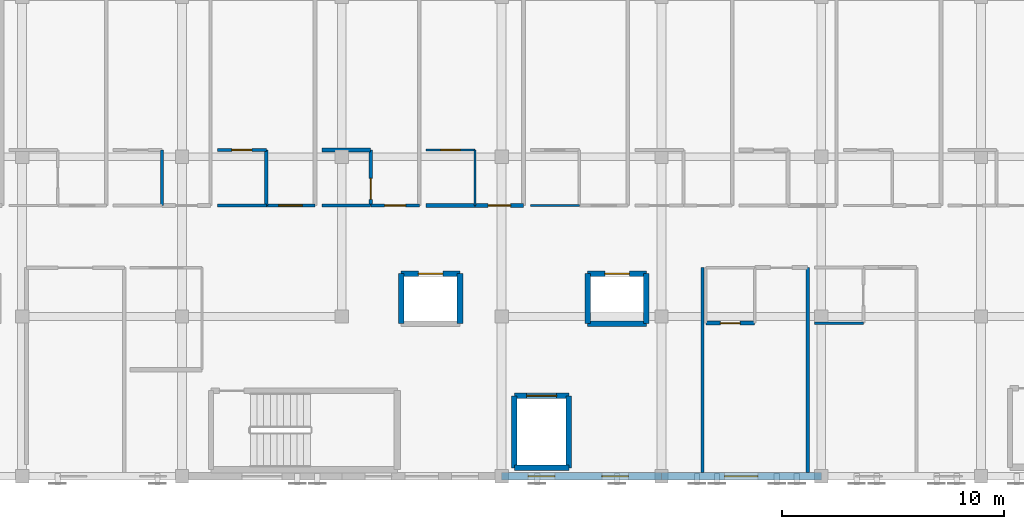
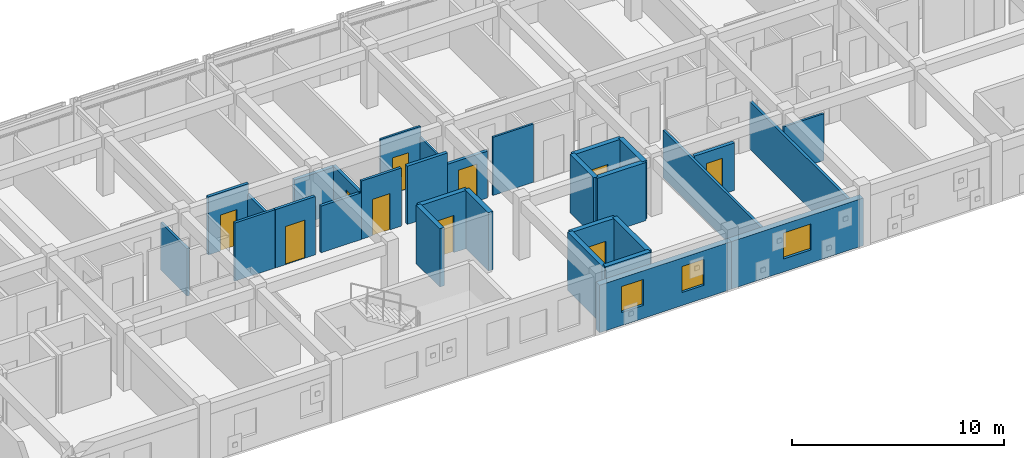
# One storey, part 38 of 45: 31 walls, 10 doors, 3 windows, 13 openings.
"""IFC4 building model written with IfcOpenShell, lengths in metres."""

from ifc_helpers import new_model, si_unit, direction, frame, frame_2d, origin, place, context, subcontext, project, spatial, rectangle, extrude, material, layer, layer_set, type_object, element, fill, save


model = new_model("IFC4")

# Units and contexts
model_context = context("Model", 3, precision=1e-05, world=origin(), true_north=direction((0.0, 1.0)))
body_context = subcontext(model_context, "Body", "Model", "MODEL_VIEW")
ifc_project = project(units=[si_unit("LENGTHUNIT", "METRE"), si_unit("AREAUNIT", "SQUARE_METRE"), si_unit("VOLUMEUNIT", "CUBIC_METRE"), si_unit("PLANEANGLEUNIT", "RADIAN"), si_unit("MASSUNIT", "GRAM", prefix="KILO")], contexts=[model_context])

# Site, building, storey
site_placement = place(None, origin())
site = spatial("IfcSite", under=ifc_project, at=site_placement, CompositionType="ELEMENT")
building_placement = place(site_placement, origin())
building = spatial("IfcBuilding", under=site, at=building_placement, Name="Carrowvane Square Congress Hotel", CompositionType="ELEMENT")
storey_placement = place(building_placement, frame((0.0, 0.0, 33.60009765625)))
storey = spatial("IfcBuildingStorey", under=building, at=storey_placement, Name="L08", CompositionType="ELEMENT", Elevation=33.60009765625)

# Wall, opening, window
ifc_material_1 = material(Name="Glazed terracotta rainscreen", Category="masonry")
ifc_layer_1 = layer(ifc_material_1, 0.330078125)
ifc_layer_set_1 = layer_set([ifc_layer_1], Name="Glazed terracotta rainscreen")
wall_type_1 = type_object("IfcWallType", Name="WL-EXT-TC330", PredefinedType="STANDARD", material=ifc_layer_set_1)
wall_1_placement = place(storey_placement, frame((126.800048828125, 91.800048828125, 0.0), z_axis=(0.0, 0.0, 1.0), x_axis=(-1.0, 0.0, 0.0)))
wall_1 = element("IfcWall", 1, at=wall_1_placement, inside=storey, type_object=wall_type_1, Name="L08 exterior facade wall 544", PredefinedType="STANDARD", context=body_context, shape_type="SweptSolid", body=[
    extrude(rectangle(XDim=7.199951171875, YDim=0.330078125, at=frame_2d((3.60009765625, 0.0))), origin(), (0.0, 0.0, 1.0), 2.744873046875),
])
opening_1_placement = place(wall_1_placement, frame((2.85009765625, 0.0, 0.75)))
opening_1 = element("IfcOpeningElement", 2, at=opening_1_placement, cuts=wall_1, Name="Opening W-15", PredefinedType="OPENING", context=body_context, shape_type="SweptSolid", body=[
    extrude(rectangle(XDim=1.5, YDim=1.5, at=frame_2d((0.75, 0.75))), frame((0.0, 0.175048828125, 0.0), z_axis=(0.0, -1.0, 0.0), x_axis=(1.0, 0.0, 0.0)), (0.0, 0.0, 1.0), 0.35009765625),
])
ifc_material_2 = material(Name="Double-glazed low-E glass", Category="glass")
window_type_1 = type_object("IfcWindowType", Name="WIN-15", PartitioningType="SINGLE_PANEL", PredefinedType="WINDOW", material=ifc_material_2)
window_1_placement = place(opening_1_placement, origin())
window_1 = element("IfcWindow", 3, at=window_1_placement, inside=storey, type_object=window_type_1, Name="L08 facade window 385", OverallHeight=1.5, OverallWidth=1.5, PartitioningType="SINGLE_PANEL", PredefinedType="WINDOW", context=body_context, shape_type="SweptSolid", body=[
    extrude(rectangle(XDim=1.5, YDim=1.5, at=frame_2d((0.75, 0.75))), frame((0.0, 0.030029296875, 0.0), z_axis=(0.0, -1.0, 0.0), x_axis=(1.0, 0.0, 0.0)), (0.0, 0.0, 1.0), 0.06005859375),
])
fill(opening_1, window_1)

# Wall, openings, windows
wall_2_placement = place(storey_placement, frame((119.60009765625, 91.800048828125, 0.0), z_axis=(0.0, 0.0, 1.0), x_axis=(-1.0, 0.0, 0.0)))
wall_2 = element("IfcWall", 4, at=wall_2_placement, inside=storey, type_object=wall_type_1, Name="L08 exterior facade wall 545", PredefinedType="STANDARD", context=body_context, shape_type="SweptSolid", body=[
    extrude(rectangle(XDim=7.2001953125, YDim=0.330078125, at=frame_2d((3.60009765625, 0.0))), origin(), (0.0, 0.0, 1.0), 2.744873046875),
])
opening_2_placement = place(wall_2_placement, frame((1.487548828125, 0.0, 0.75)))
opening_2 = element("IfcOpeningElement", 5, at=opening_2_placement, cuts=wall_2, Name="Opening W-01", PredefinedType="OPENING", context=body_context, shape_type="SweptSolid", body=[
    extrude(rectangle(XDim=1.199951171875, YDim=1.5, at=frame_2d((0.60009765625, 0.75))), frame((0.0, 0.175048828125, 0.0), z_axis=(0.0, -1.0, 0.0), x_axis=(1.0, 0.0, 0.0)), (0.0, 0.0, 1.0), 0.35009765625),
])
opening_3_placement = place(wall_2_placement, frame((4.800048828125, 0.0, 0.75)))
opening_3 = element("IfcOpeningElement", 6, at=opening_3_placement, cuts=wall_2, Name="Opening W-01", PredefinedType="OPENING", context=body_context, shape_type="SweptSolid", body=[
    extrude(rectangle(XDim=1.199951171875, YDim=1.5, at=frame_2d((0.60009765625, 0.75))), frame((0.0, 0.175048828125, 0.0), z_axis=(0.0, -1.0, 0.0), x_axis=(1.0, 0.0, 0.0)), (0.0, 0.0, 1.0), 0.35009765625),
])
ifc_material_3 = material(Name="Double-glazed low-E glass", Category="glass")
window_type_2 = type_object("IfcWindowType", Name="WIN-01", PartitioningType="SINGLE_PANEL", PredefinedType="WINDOW", material=ifc_material_3)
window_2_placement = place(opening_2_placement, origin())
window_2 = element("IfcWindow", 7, at=window_2_placement, inside=storey, type_object=window_type_2, Name="L08 facade window 386", OverallHeight=1.5, OverallWidth=1.199951171875, PartitioningType="SINGLE_PANEL", PredefinedType="WINDOW", context=body_context, shape_type="SweptSolid", body=[
    extrude(rectangle(XDim=1.199951171875, YDim=1.5, at=frame_2d((0.60009765625, 0.75))), frame((0.0, 0.030029296875, 0.0), z_axis=(0.0, -1.0, 0.0), x_axis=(1.0, 0.0, 0.0)), (0.0, 0.0, 1.0), 0.06005859375),
])
fill(opening_2, window_2)
window_3_placement = place(opening_3_placement, origin())
window_3 = element("IfcWindow", 8, at=window_3_placement, inside=storey, type_object=window_type_2, Name="L08 split-bay facade window WIN-L08-0386-1", OverallHeight=1.5, OverallWidth=1.199951171875, PartitioningType="SINGLE_PANEL", PredefinedType="WINDOW", context=body_context, shape_type="SweptSolid", body=[
    extrude(rectangle(XDim=1.199951171875, YDim=1.5, at=frame_2d((0.60009765625, 0.75))), frame((0.0, 0.030029296875, 0.0), z_axis=(0.0, -1.0, 0.0), x_axis=(1.0, 0.0, 0.0)), (0.0, 0.0, 1.0), 0.06005859375),
])
fill(opening_3, window_3)

# Wall, opening, door
ifc_material_4 = material(Name="Acoustic gypsum board", Category="gypsum")
ifc_layer_2 = layer(ifc_material_4, 0.155029296875)
ifc_layer_set_2 = layer_set([ifc_layer_2], Name="Acoustic gypsum board")
wall_type_2 = type_object("IfcWallType", Name="WL-FIR-155", PredefinedType="PARTITIONING", material=ifc_layer_set_2)
wall_3_placement = place(storey_placement, frame((99.60009765625, 106.5, 0.0), z_axis=(0.0, 0.0, 1.0), x_axis=(1.0, 0.0, 0.0)))
wall_3 = element("IfcWall", 9, at=wall_3_placement, inside=storey, type_object=wall_type_2, Name="L08 En-suite Bathroom 0817 partition", PredefinedType="PARTITIONING", context=body_context, shape_type="SweptSolid", body=[
    extrude(rectangle(XDim=2.199951171875, YDim=0.155029296875, at=frame_2d((1.10009765625, 0.0))), origin(), (0.0, 0.0, 1.0), 3.35986328125),
])
opening_4_placement = place(wall_3_placement, frame((0.64990234375, 0.0, 0.0)))
opening_4 = element("IfcOpeningElement", 10, at=opening_4_placement, cuts=wall_3, Name="Opening ID-02", PredefinedType="OPENING", context=body_context, shape_type="SweptSolid", body=[
    extrude(rectangle(XDim=0.89990234375, YDim=2.080078125, at=frame_2d((0.449951171875, 1.0400390625))), frame((0.0, 0.08740234375, 0.0), z_axis=(0.0, -1.0, 0.0), x_axis=(1.0, 0.0, 0.0)), (0.0, 0.0, 1.0), 0.175048828125),
])
ifc_material_5 = material(Name="European oak timber", Category="wood")
door_type_1 = type_object("IfcDoorType", Name="DR-INT-0900x2080", OperationType="NOTDEFINED", PredefinedType="DOOR", material=ifc_material_5)
door_1_placement = place(opening_4_placement, origin())
door_1 = element("IfcDoor", 11, at=door_1_placement, inside=storey, type_object=door_type_1, Name="L08 En-suite Bathroom 0817 door", OperationType="SINGLE_SWING_LEFT", OverallHeight=2.080078125, OverallWidth=0.89990234375, PredefinedType="DOOR", context=body_context, shape_type="SweptSolid", body=[
    extrude(rectangle(XDim=0.89990234375, YDim=2.080078125, at=frame_2d((0.449951171875, 1.0400390625))), frame((0.0, 0.02490234375, 0.0), z_axis=(0.0, -1.0, 0.0), x_axis=(1.0, 0.0, 0.0)), (0.0, 0.0, 1.0), 0.050048828125),
])
fill(opening_4, door_1)

wall_4_placement = place(storey_placement, frame((103.989990234375, 104.0, 0.0), z_axis=(0.0, 0.0, 1.0), x_axis=(-1.0, 0.0, 0.0)))
wall_4 = element("IfcWall", 12, at=wall_4_placement, inside=storey, type_object=wall_type_2, Name="L08 Parkview Guest Bedroom 0817 partition", PredefinedType="PARTITIONING", context=body_context, shape_type="SweptSolid", body=[
    extrude(rectangle(XDim=2.179931640625, YDim=0.155029296875, at=frame_2d((1.08984375, 0.0))), origin(), (0.0, 0.0, 1.0), 3.35986328125),
])
opening_5_placement = place(wall_4_placement, frame((0.56005859375, 0.0, 0.0)))
opening_5 = element("IfcOpeningElement", 13, at=opening_5_placement, cuts=wall_4, Name="Opening FD-09", PredefinedType="OPENING", context=body_context, shape_type="SweptSolid", body=[
    extrude(rectangle(XDim=1.06005859375, YDim=2.199951171875, at=frame_2d((0.530029296875, 1.10009765625))), frame((0.0, 0.08740234375, 0.0), z_axis=(0.0, -1.0, 0.0), x_axis=(1.0, 0.0, 0.0)), (0.0, 0.0, 1.0), 0.175048828125),
])
ifc_material_6 = material(Name="European oak timber", Category="wood")
door_type_2 = type_object("IfcDoorType", Name="DR-FD30-1060x2200", OperationType="NOTDEFINED", PredefinedType="DOOR", material=ifc_material_6)
door_2_placement = place(opening_5_placement, origin())
door_2 = element("IfcDoor", 14, at=door_2_placement, inside=storey, type_object=door_type_2, Name="L08 Parkview Guest Bedroom 0817 entrance door", OperationType="SINGLE_SWING_RIGHT", OverallHeight=2.199951171875, OverallWidth=1.06005859375, PredefinedType="DOOR", context=body_context, shape_type="SweptSolid", body=[
    extrude(rectangle(XDim=1.06005859375, YDim=2.199951171875, at=frame_2d((0.530029296875, 1.10009765625))), frame((0.0, 0.02490234375, 0.0), z_axis=(0.0, -1.0, 0.0), x_axis=(1.0, 0.0, 0.0)), (0.0, 0.0, 1.0), 0.050048828125),
])
fill(opening_5, door_2)

# Wall
wall_5_placement = place(storey_placement, frame((106.5, 104.0, 0.0), z_axis=(0.0, 0.0, 1.0), x_axis=(-1.0, 0.0, 0.0)))
element("IfcWall", 15, at=wall_5_placement, inside=storey, type_object=wall_type_2, Name="L08 En-suite Bathroom 0818 partition", PredefinedType="PARTITIONING", context=body_context, shape_type="SweptSolid", body=[
    extrude(rectangle(XDim=2.199951171875, YDim=0.155029296875, at=frame_2d((1.10009765625, 0.0))), origin(), (0.0, 0.0, 1.0), 2.69482421875),
])

# Wall, opening, door
ifc_material_7 = material(Name="Acoustic gypsum board", Category="gypsum")
ifc_layer_3 = layer(ifc_material_7, 0.169921875)
ifc_layer_set_3 = layer_set([ifc_layer_3], Name="Acoustic gypsum board")
wall_type_3 = type_object("IfcWallType", Name="WL-FIR-170", PredefinedType="PARTITIONING", material=ifc_layer_set_3)
wall_6_placement = place(storey_placement, frame((106.5, 106.5, 0.0), z_axis=(0.0, 0.0, 1.0), x_axis=(0.0, -1.0, 0.0)))
wall_6 = element("IfcWall", 16, at=wall_6_placement, inside=storey, type_object=wall_type_3, Name="L08 En-suite Bathroom 0818 partition", PredefinedType="PARTITIONING", context=body_context, shape_type="SweptSolid", body=[
    extrude(rectangle(XDim=2.5, YDim=0.169921875, at=frame_2d((1.25, 0.0))), origin(), (0.0, 0.0, 1.0), 2.744873046875),
])
opening_6_placement = place(wall_6_placement, frame((1.280029296875, 0.0, 0.0)))
opening_6 = element("IfcOpeningElement", 17, at=opening_6_placement, cuts=wall_6, Name="Opening ID-04", PredefinedType="OPENING", context=body_context, shape_type="SweptSolid", body=[
    extrude(rectangle(XDim=0.93994140625, YDim=2.1201171875, at=frame_2d((0.469970703125, 1.06005859375))), frame((0.0, 0.094970703125, 0.0), z_axis=(0.0, -1.0, 0.0), x_axis=(1.0, 0.0, 0.0)), (0.0, 0.0, 1.0), 0.18994140625),
])
ifc_material_8 = material(Name="European oak timber", Category="wood")
door_type_3 = type_object("IfcDoorType", Name="DR-INT-0940x2120", OperationType="NOTDEFINED", PredefinedType="DOOR", material=ifc_material_8)
door_3_placement = place(opening_6_placement, origin())
door_3 = element("IfcDoor", 18, at=door_3_placement, inside=storey, type_object=door_type_3, Name="L08 En-suite Bathroom 0818 door", OperationType="SINGLE_SWING_LEFT", OverallHeight=2.1201171875, OverallWidth=0.93994140625, PredefinedType="DOOR", context=body_context, shape_type="SweptSolid", body=[
    extrude(rectangle(XDim=0.93994140625, YDim=2.1201171875, at=frame_2d((0.469970703125, 1.06005859375))), frame((0.0, 0.02490234375, 0.0), z_axis=(0.0, -1.0, 0.0), x_axis=(1.0, 0.0, 0.0)), (0.0, 0.0, 1.0), 0.050048828125),
])
fill(opening_6, door_3)

wall_7_placement = place(storey_placement, frame((113.389892578125, 104.0, 0.0), z_axis=(0.0, 0.0, 1.0), x_axis=(-1.0, 0.0, 0.0)))
wall_7 = element("IfcWall", 19, at=wall_7_placement, inside=storey, type_object=wall_type_3, Name="L08 Parkview Guest Bedroom 0819 partition", PredefinedType="PARTITIONING", context=body_context, shape_type="SweptSolid", body=[
    extrude(rectangle(XDim=2.179931640625, YDim=0.169921875, at=frame_2d((1.08984375, 0.0))), origin(), (0.0, 0.0, 1.0), 2.69482421875),
])
opening_7_placement = place(wall_7_placement, frame((0.580078125, 0.0, 0.0)))
opening_7 = element("IfcOpeningElement", 20, at=opening_7_placement, cuts=wall_7, Name="Opening FD-08", PredefinedType="OPENING", context=body_context, shape_type="SweptSolid", body=[
    extrude(rectangle(XDim=1.02001953125, YDim=2.14990234375, at=frame_2d((0.510009765625, 1.074951171875))), frame((0.0, 0.094970703125, 0.0), z_axis=(0.0, -1.0, 0.0), x_axis=(1.0, 0.0, 0.0)), (0.0, 0.0, 1.0), 0.18994140625),
])
ifc_material_9 = material(Name="European oak timber", Category="wood")
door_type_4 = type_object("IfcDoorType", Name="DR-FD30-1020x2150", OperationType="NOTDEFINED", PredefinedType="DOOR", material=ifc_material_9)
door_4_placement = place(opening_7_placement, origin())
door_4 = element("IfcDoor", 21, at=door_4_placement, inside=storey, type_object=door_type_4, Name="L08 Parkview Guest Bedroom 0819 entrance door", OperationType="SINGLE_SWING_RIGHT", OverallHeight=2.14990234375, OverallWidth=1.02001953125, PredefinedType="DOOR", context=body_context, shape_type="SweptSolid", body=[
    extrude(rectangle(XDim=1.02001953125, YDim=2.14990234375, at=frame_2d((0.510009765625, 1.074951171875))), frame((0.0, 0.02490234375, 0.0), z_axis=(0.0, -1.0, 0.0), x_axis=(1.0, 0.0, 0.0)), (0.0, 0.0, 1.0), 0.050048828125),
])
fill(opening_7, door_4)

ifc_material_10 = material(Name="Acoustic gypsum board", Category="gypsum")
ifc_layer_4 = layer(ifc_material_10, 0.18505859375)
ifc_layer_set_4 = layer_set([ifc_layer_4], Name="Acoustic gypsum board")
wall_type_4 = type_object("IfcWallType", Name="WL-FIR-185", PredefinedType="PARTITIONING", material=ifc_layer_set_4)
wall_8_placement = place(storey_placement, frame((123.800048828125, 98.699951171875, 0.0), z_axis=(0.0, 0.0, 1.0), x_axis=(-1.0, 0.0, 0.0)))
wall_8 = element("IfcWall", 22, at=wall_8_placement, inside=storey, type_object=wall_type_4, Name="L08 En-suite Bathroom 0806 partition", PredefinedType="PARTITIONING", context=body_context, shape_type="SweptSolid", body=[
    extrude(rectangle(XDim=2.199951171875, YDim=0.18505859375, at=frame_2d((1.10009765625, 0.0))), origin(), (0.0, 0.0, 1.0), 2.744873046875),
])
opening_8_placement = place(wall_8_placement, frame((0.655029296875, 0.0, 0.0)))
opening_8 = element("IfcOpeningElement", 23, at=opening_8_placement, cuts=wall_8, Name="Opening ID-16", PredefinedType="OPENING", context=body_context, shape_type="SweptSolid", body=[
    extrude(rectangle(XDim=0.889892578125, YDim=2.090087890625, at=frame_2d((0.44482421875, 1.044921875))), frame((0.0, 0.1025390625, 0.0), z_axis=(0.0, -1.0, 0.0), x_axis=(1.0, 0.0, 0.0)), (0.0, 0.0, 1.0), 0.205078125),
])
ifc_material_11 = material(Name="European oak timber", Category="wood")
door_type_5 = type_object("IfcDoorType", Name="DR-INT-0890x2090", OperationType="NOTDEFINED", PredefinedType="DOOR", material=ifc_material_11)
door_5_placement = place(opening_8_placement, origin())
door_5 = element("IfcDoor", 24, at=door_5_placement, inside=storey, type_object=door_type_5, Name="L08 En-suite Bathroom 0806 door", OperationType="SINGLE_SWING_LEFT", OverallHeight=2.090087890625, OverallWidth=0.889892578125, PredefinedType="DOOR", context=body_context, shape_type="SweptSolid", body=[
    extrude(rectangle(XDim=0.889892578125, YDim=2.090087890625, at=frame_2d((0.44482421875, 1.044921875))), frame((0.0, 0.02490234375, 0.0), z_axis=(0.0, -1.0, 0.0), x_axis=(1.0, 0.0, 0.0)), (0.0, 0.0, 1.0), 0.050048828125),
])
fill(opening_8, door_5)

# Walls
wall_9_placement = place(storey_placement, frame((104.300048828125, 106.5, 0.0), z_axis=(0.0, 0.0, 1.0), x_axis=(1.0, 0.0, 0.0)))
element("IfcWall", 25, at=wall_9_placement, inside=storey, type_object=wall_type_4, Name="L08 En-suite Bathroom 0818 partition", PredefinedType="PARTITIONING", context=body_context, shape_type="SweptSolid", body=[
    extrude(rectangle(XDim=2.199951171875, YDim=0.18505859375, at=frame_2d((1.10009765625, 0.0))), origin(), (0.0, 0.0, 1.0), 2.69482421875),
])
wall_10_placement = place(storey_placement, frame((111.199951171875, 104.0, 0.0), z_axis=(0.0, 0.0, 1.0), x_axis=(-1.0, 0.0, 0.0)))
element("IfcWall", 26, at=wall_10_placement, inside=storey, type_object=wall_type_4, Name="L08 En-suite Bathroom 0819 partition", PredefinedType="PARTITIONING", context=body_context, shape_type="SweptSolid", body=[
    extrude(rectangle(XDim=2.199951171875, YDim=0.18505859375, at=frame_2d((1.10009765625, 0.0))), origin(), (0.0, 0.0, 1.0), 3.35986328125),
])
ifc_material_12 = material(Name="Acoustic gypsum board", Category="gypsum")
ifc_layer_5 = layer(ifc_material_12, 0.097900390625)
ifc_layer_set_5 = layer_set([ifc_layer_5], Name="Acoustic gypsum board")
wall_type_5 = type_object("IfcWallType", Name="WL-PRT-098", PredefinedType="PARTITIONING", material=ifc_layer_set_5)
wall_11_placement = place(storey_placement, frame((111.199951171875, 106.5, 0.0), z_axis=(0.0, 0.0, 1.0), x_axis=(0.0, -1.0, 0.0)))
element("IfcWall", 27, at=wall_11_placement, inside=storey, type_object=wall_type_5, Name="L08 En-suite Bathroom 0819 partition", PredefinedType="PARTITIONING", context=body_context, shape_type="SweptSolid", body=[
    extrude(rectangle(XDim=2.5, YDim=0.097900390625, at=frame_2d((1.25, 0.0))), origin(), (0.0, 0.0, 1.0), 2.744873046875),
])

# Wall, opening, door
ifc_material_13 = material(Name="Acoustic gypsum board", Category="gypsum")
ifc_layer_6 = layer(ifc_material_13, 0.10791015625)
ifc_layer_set_6 = layer_set([ifc_layer_6], Name="Acoustic gypsum board")
wall_type_6 = type_object("IfcWallType", Name="WL-PRT-108", PredefinedType="PARTITIONING", material=ifc_layer_set_6)
wall_12_placement = place(storey_placement, frame((109.0, 106.5, 0.0), z_axis=(0.0, 0.0, 1.0), x_axis=(1.0, 0.0, 0.0)))
wall_12 = element("IfcWall", 28, at=wall_12_placement, inside=storey, type_object=wall_type_6, Name="L08 En-suite Bathroom 0819 partition", PredefinedType="PARTITIONING", context=body_context, shape_type="SweptSolid", body=[
    extrude(rectangle(XDim=2.199951171875, YDim=0.10791015625, at=frame_2d((1.10009765625, 0.0))), origin(), (0.0, 0.0, 1.0), 3.35986328125),
])
opening_9_placement = place(wall_12_placement, frame((0.6650390625, 0.0, 0.0)))
opening_9 = element("IfcOpeningElement", 29, at=opening_9_placement, cuts=wall_12, Name="Opening ID-15", PredefinedType="OPENING", context=body_context, shape_type="SweptSolid", body=[
    extrude(rectangle(XDim=0.8701171875, YDim=2.070068359375, at=frame_2d((0.43505859375, 1.03515625))), frame((0.0, 0.06396484375, 0.0), z_axis=(0.0, -1.0, 0.0), x_axis=(1.0, 0.0, 0.0)), (0.0, 0.0, 1.0), 0.1279296875),
])
ifc_material_14 = material(Name="European oak timber", Category="wood")
door_type_6 = type_object("IfcDoorType", Name="DR-INT-0870x2070", OperationType="NOTDEFINED", PredefinedType="DOOR", material=ifc_material_14)
door_6_placement = place(opening_9_placement, origin())
door_6 = element("IfcDoor", 30, at=door_6_placement, inside=storey, type_object=door_type_6, Name="L08 En-suite Bathroom 0819 door", OperationType="SINGLE_SWING_LEFT", OverallHeight=2.070068359375, OverallWidth=0.8701171875, PredefinedType="DOOR", context=body_context, shape_type="SweptSolid", body=[
    extrude(rectangle(XDim=0.8701171875, YDim=2.070068359375, at=frame_2d((0.43505859375, 1.03515625))), frame((0.0, 0.02490234375, 0.0), z_axis=(0.0, -1.0, 0.0), x_axis=(1.0, 0.0, 0.0)), (0.0, 0.0, 1.0), 0.050048828125),
])
fill(opening_9, door_6)

# Walls
wall_13_placement = place(storey_placement, frame((115.89990234375, 104.0, 0.0), z_axis=(0.0, 0.0, 1.0), x_axis=(-1.0, 0.0, 0.0)))
element("IfcWall", 31, at=wall_13_placement, inside=storey, type_object=wall_type_6, Name="L08 En-suite Bathroom 0820 partition", PredefinedType="PARTITIONING", context=body_context, shape_type="SweptSolid", body=[
    extrude(rectangle(XDim=2.199951171875, YDim=0.10791015625, at=frame_2d((1.10009765625, 0.0))), origin(), (0.0, 0.0, 1.0), 3.35986328125),
])
ifc_material_15 = material(Name="Acoustic gypsum board", Category="gypsum")
ifc_layer_7 = layer(ifc_material_15, 0.117919921875)
ifc_layer_set_7 = layer_set([ifc_layer_7], Name="Acoustic gypsum board")
wall_type_7 = type_object("IfcWallType", Name="WL-PRT-118", PredefinedType="PARTITIONING", material=ifc_layer_set_7)
wall_14_placement = place(storey_placement, frame((128.699951171875, 98.699951171875, 0.0), z_axis=(0.0, 0.0, 1.0), x_axis=(-1.0, 0.0, 0.0)))
element("IfcWall", 32, at=wall_14_placement, inside=storey, type_object=wall_type_7, Name="L08 En-suite Bathroom 0807 partition", PredefinedType="PARTITIONING", context=body_context, shape_type="SweptSolid", body=[
    extrude(rectangle(XDim=2.199951171875, YDim=0.117919921875, at=frame_2d((1.10009765625, 0.0))), origin(), (0.0, 0.0, 1.0), 2.69482421875),
])
ifc_material_16 = material(Name="Acoustic gypsum board", Category="gypsum")
ifc_layer_8 = layer(ifc_material_16, 0.1279296875)
ifc_layer_set_8 = layer_set([ifc_layer_8], Name="Acoustic gypsum board")
wall_type_8 = type_object("IfcWallType", Name="WL-PRT-128", PredefinedType="PARTITIONING", material=ifc_layer_set_8)
wall_15_placement = place(storey_placement, frame((97.10009765625, 106.5, 0.0), z_axis=(0.0, 0.0, 1.0), x_axis=(0.0, -1.0, 0.0)))
element("IfcWall", 33, at=wall_15_placement, inside=storey, type_object=wall_type_8, Name="L08 En-suite Bathroom 0816 partition", PredefinedType="PARTITIONING", context=body_context, shape_type="SweptSolid", body=[
    extrude(rectangle(XDim=2.5, YDim=0.1279296875, at=frame_2d((1.25, 0.0))), origin(), (0.0, 0.0, 1.0), 2.744873046875),
])
ifc_material_17 = material(Name="Acoustic gypsum board", Category="gypsum")
ifc_layer_9 = layer(ifc_material_17, 0.137939453125)
ifc_layer_set_9 = layer_set([ifc_layer_9], Name="Acoustic gypsum board")
wall_type_9 = type_object("IfcWallType", Name="WL-PRT-138", PredefinedType="PARTITIONING", material=ifc_layer_set_9)
wall_16_placement = place(storey_placement, frame((121.449951171875, 91.9599609375, 0.0), z_axis=(0.0, 0.0, 1.0), x_axis=(0.0, 1.0, 0.0)))
element("IfcWall", 34, at=wall_16_placement, inside=storey, type_object=wall_type_9, Name="L08 Hotel Guest Bedroom 0806 partition", PredefinedType="PARTITIONING", context=body_context, shape_type="SweptSolid", body=[
    extrude(rectangle(XDim=9.239990234375, YDim=0.137939453125, at=frame_2d((4.6201171875, 0.0))), origin(), (0.0, 0.0, 1.0), 2.744873046875),
])
wall_17_placement = place(storey_placement, frame((101.800048828125, 104.0, 0.0), z_axis=(0.0, 0.0, 1.0), x_axis=(-1.0, 0.0, 0.0)))
element("IfcWall", 35, at=wall_17_placement, inside=storey, type_object=wall_type_9, Name="L08 En-suite Bathroom 0817 partition", PredefinedType="PARTITIONING", context=body_context, shape_type="SweptSolid", body=[
    extrude(rectangle(XDim=2.199951171875, YDim=0.137939453125, at=frame_2d((1.10009765625, 0.0))), origin(), (0.0, 0.0, 1.0), 3.35986328125),
])

# Wall, opening, door
wall_18_placement = place(storey_placement, frame((108.68994140625, 104.0, 0.0), z_axis=(0.0, 0.0, 1.0), x_axis=(-1.0, 0.0, 0.0)))
wall_18 = element("IfcWall", 36, at=wall_18_placement, inside=storey, type_object=wall_type_9, Name="L08 Parkview Guest Bedroom 0818 partition", PredefinedType="PARTITIONING", context=body_context, shape_type="SweptSolid", body=[
    extrude(rectangle(XDim=2.179931640625, YDim=0.137939453125, at=frame_2d((1.08984375, 0.0))), origin(), (0.0, 0.0, 1.0), 3.35986328125),
])
opening_10_placement = place(wall_18_placement, frame((0.614990234375, 0.0, 0.0)))
opening_10 = element("IfcOpeningElement", 37, at=opening_10_placement, cuts=wall_18, Name="Opening FD-06", PredefinedType="OPENING", context=body_context, shape_type="SweptSolid", body=[
    extrude(rectangle(XDim=0.949951171875, YDim=2.10009765625, at=frame_2d((0.47509765625, 1.050048828125))), frame((0.0, 0.078857421875, 0.0), z_axis=(0.0, -1.0, 0.0), x_axis=(1.0, 0.0, 0.0)), (0.0, 0.0, 1.0), 0.157958984375),
])
ifc_material_18 = material(Name="European oak timber", Category="wood")
door_type_7 = type_object("IfcDoorType", Name="DR-FD30-0950x2100", OperationType="NOTDEFINED", PredefinedType="DOOR", material=ifc_material_18)
door_7_placement = place(opening_10_placement, origin())
door_7 = element("IfcDoor", 38, at=door_7_placement, inside=storey, type_object=door_type_7, Name="L08 Parkview Guest Bedroom 0818 entrance door", OperationType="SINGLE_SWING_RIGHT", OverallHeight=2.10009765625, OverallWidth=0.949951171875, PredefinedType="DOOR", context=body_context, shape_type="SweptSolid", body=[
    extrude(rectangle(XDim=0.949951171875, YDim=2.10009765625, at=frame_2d((0.47509765625, 1.050048828125))), frame((0.0, 0.02490234375, 0.0), z_axis=(0.0, -1.0, 0.0), x_axis=(1.0, 0.0, 0.0)), (0.0, 0.0, 1.0), 0.050048828125),
])
fill(opening_10, door_7)

# Walls
ifc_material_19 = material(Name="Acoustic gypsum board", Category="gypsum")
ifc_layer_10 = layer(ifc_material_19, 0.14794921875)
ifc_layer_set_10 = layer_set([ifc_layer_10], Name="Acoustic gypsum board")
wall_type_10 = type_object("IfcWallType", Name="WL-PRT-148", PredefinedType="PARTITIONING", material=ifc_layer_set_10)
wall_19_placement = place(storey_placement, frame((126.18994140625, 101.199951171875, 0.0), z_axis=(0.0, 0.0, 1.0), x_axis=(0.0, -1.0, 0.0)))
element("IfcWall", 39, at=wall_19_placement, inside=storey, type_object=wall_type_10, Name="L08 Hotel Guest Bedroom 0806 partition", PredefinedType="PARTITIONING", context=body_context, shape_type="SweptSolid", body=[
    extrude(rectangle(XDim=9.239990234375, YDim=0.14794921875, at=frame_2d((4.6201171875, 0.0))), origin(), (0.0, 0.0, 1.0), 2.744873046875),
])
wall_20_placement = place(storey_placement, frame((101.800048828125, 106.5, 0.0), z_axis=(0.0, 0.0, 1.0), x_axis=(0.0, -1.0, 0.0)))
element("IfcWall", 40, at=wall_20_placement, inside=storey, type_object=wall_type_10, Name="L08 En-suite Bathroom 0817 partition", PredefinedType="PARTITIONING", context=body_context, shape_type="SweptSolid", body=[
    extrude(rectangle(XDim=2.5, YDim=0.14794921875, at=frame_2d((1.25, 0.0))), origin(), (0.0, 0.0, 1.0), 2.744873046875),
])
ifc_material_20 = material(Name="Concrete C40/50", Category="concrete")
ifc_layer_11 = layer(ifc_material_20, 0.25)
ifc_layer_set_11 = layer_set([ifc_layer_11], Name="Concrete C40/50")
wall_type_11 = type_object("IfcWallType", Name="WL-SHR-250", PredefinedType="SHEAR", material=ifc_layer_set_11)
wall_21_placement = place(storey_placement, frame((110.52490234375, 98.675048828125, 0.0), z_axis=(0.0, 0.0, 1.0), x_axis=(0.0, 1.0, 0.0)))
element("IfcWall", 41, at=wall_21_placement, inside=storey, type_object=wall_type_11, Name="L08 HL-3 shaft wall east", PredefinedType="SHEAR", context=body_context, shape_type="SweptSolid", body=[
    extrude(rectangle(XDim=2.25, YDim=0.25, at=frame_2d((1.125, 0.0))), origin(), (0.0, 0.0, 1.0), 3.35986328125),
])

# Wall, opening, door
wall_22_placement = place(storey_placement, frame((110.52490234375, 100.925048828125, 0.0), z_axis=(0.0, 0.0, 1.0), x_axis=(-1.0, 0.0, 0.0)))
wall_22 = element("IfcWall", 42, at=wall_22_placement, inside=storey, type_object=wall_type_11, Name="L08 HL-3 shaft wall north", PredefinedType="SHEAR", context=body_context, shape_type="SweptSolid", body=[
    extrude(rectangle(XDim=2.64990234375, YDim=0.25, at=frame_2d((1.324951171875, 0.0))), origin(), (0.0, 0.0, 1.0), 3.35986328125),
])
opening_11_placement = place(wall_22_placement, frame((0.77490234375, 0.0, 0.0)))
opening_11 = element("IfcOpeningElement", 43, at=opening_11_placement, cuts=wall_22, Name="Opening LD-HL-3", PredefinedType="OPENING", context=body_context, shape_type="SweptSolid", body=[
    extrude(rectangle(XDim=1.10009765625, YDim=2.14990234375, at=frame_2d((0.550048828125, 1.074951171875))), frame((0.0, 0.135009765625, 0.0), z_axis=(0.0, -1.0, 0.0), x_axis=(1.0, 0.0, 0.0)), (0.0, 0.0, 1.0), 0.27001953125),
])
ifc_material_21 = material(Name="Stainless steel 316", Category="steel")
door_type_8 = type_object("IfcDoorType", Name="DR-LD-1100x2150", OperationType="DOUBLE_DOOR_SLIDING", PredefinedType="DOOR", material=ifc_material_21)
door_8_placement = place(opening_11_placement, origin())
door_8 = element("IfcDoor", 44, at=door_8_placement, inside=storey, type_object=door_type_8, Name="L08 HL-3 sliding lift landing door", OperationType="DOUBLE_DOOR_SLIDING", OverallHeight=2.14990234375, OverallWidth=1.10009765625, PredefinedType="DOOR", context=body_context, shape_type="SweptSolid", body=[
    extrude(rectangle(XDim=1.10009765625, YDim=2.14990234375, at=frame_2d((0.550048828125, 1.074951171875))), frame((0.0, 0.02490234375, 0.0), z_axis=(0.0, -1.0, 0.0), x_axis=(1.0, 0.0, 0.0)), (0.0, 0.0, 1.0), 0.050048828125),
])
fill(opening_11, door_8)

# Walls
wall_23_placement = place(storey_placement, frame((107.875, 100.925048828125, 0.0), z_axis=(0.0, 0.0, 1.0), x_axis=(0.0, -1.0, 0.0)))
element("IfcWall", 45, at=wall_23_placement, inside=storey, type_object=wall_type_11, Name="L08 HL-3 shaft wall west", PredefinedType="SHEAR", context=body_context, shape_type="SweptSolid", body=[
    extrude(rectangle(XDim=2.25, YDim=0.25, at=frame_2d((1.125, 0.0))), origin(), (0.0, 0.0, 1.0), 3.35986328125),
])
wall_24_placement = place(storey_placement, frame((116.27490234375, 98.675048828125, 0.0), z_axis=(0.0, 0.0, 1.0), x_axis=(1.0, 0.0, 0.0)))
element("IfcWall", 46, at=wall_24_placement, inside=storey, type_object=wall_type_11, Name="L08 HL-4 shaft wall south", PredefinedType="SHEAR", context=body_context, shape_type="SweptSolid", body=[
    extrude(rectangle(XDim=2.650146484375, YDim=0.25, at=frame_2d((1.3251953125, 0.0))), origin(), (0.0, 0.0, 1.0), 3.35986328125),
])
wall_25_placement = place(storey_placement, frame((118.925048828125, 98.675048828125, 0.0), z_axis=(0.0, 0.0, 1.0), x_axis=(0.0, 1.0, 0.0)))
element("IfcWall", 47, at=wall_25_placement, inside=storey, type_object=wall_type_11, Name="L08 HL-4 shaft wall east", PredefinedType="SHEAR", context=body_context, shape_type="SweptSolid", body=[
    extrude(rectangle(XDim=2.25, YDim=0.25, at=frame_2d((1.125, 0.0))), origin(), (0.0, 0.0, 1.0), 3.35986328125),
])

# Wall, opening, door
wall_26_placement = place(storey_placement, frame((118.925048828125, 100.925048828125, 0.0), z_axis=(0.0, 0.0, 1.0), x_axis=(-1.0, 0.0, 0.0)))
wall_26 = element("IfcWall", 48, at=wall_26_placement, inside=storey, type_object=wall_type_11, Name="L08 HL-4 shaft wall north", PredefinedType="SHEAR", context=body_context, shape_type="SweptSolid", body=[
    extrude(rectangle(XDim=2.650146484375, YDim=0.25, at=frame_2d((1.3251953125, 0.0))), origin(), (0.0, 0.0, 1.0), 3.35986328125),
])
opening_12_placement = place(wall_26_placement, frame((0.77490234375, 0.0, 0.0)))
opening_12 = element("IfcOpeningElement", 49, at=opening_12_placement, cuts=wall_26, Name="Opening LD-HL-4", PredefinedType="OPENING", context=body_context, shape_type="SweptSolid", body=[
    extrude(rectangle(XDim=1.10009765625, YDim=2.14990234375, at=frame_2d((0.550048828125, 1.074951171875))), frame((0.0, 0.135009765625, 0.0), z_axis=(0.0, -1.0, 0.0), x_axis=(1.0, 0.0, 0.0)), (0.0, 0.0, 1.0), 0.27001953125),
])
door_9_placement = place(opening_12_placement, origin())
door_9 = element("IfcDoor", 50, at=door_9_placement, inside=storey, type_object=door_type_8, Name="L08 HL-4 sliding lift landing door", OperationType="DOUBLE_DOOR_SLIDING", OverallHeight=2.14990234375, OverallWidth=1.10009765625, PredefinedType="DOOR", context=body_context, shape_type="SweptSolid", body=[
    extrude(rectangle(XDim=1.10009765625, YDim=2.14990234375, at=frame_2d((0.550048828125, 1.074951171875))), frame((0.0, 0.02490234375, 0.0), z_axis=(0.0, -1.0, 0.0), x_axis=(1.0, 0.0, 0.0)), (0.0, 0.0, 1.0), 0.050048828125),
])
fill(opening_12, door_9)

# Walls
wall_27_placement = place(storey_placement, frame((116.27490234375, 100.925048828125, 0.0), z_axis=(0.0, 0.0, 1.0), x_axis=(0.0, -1.0, 0.0)))
element("IfcWall", 51, at=wall_27_placement, inside=storey, type_object=wall_type_11, Name="L08 HL-4 shaft wall west", PredefinedType="SHEAR", context=body_context, shape_type="SweptSolid", body=[
    extrude(rectangle(XDim=2.25, YDim=0.25, at=frame_2d((1.125, 0.0))), origin(), (0.0, 0.0, 1.0), 3.35986328125),
])
wall_28_placement = place(storey_placement, frame((112.97509765625, 92.175048828125, 0.0), z_axis=(0.0, 0.0, 1.0), x_axis=(1.0, 0.0, 0.0)))
element("IfcWall", 52, at=wall_28_placement, inside=storey, type_object=wall_type_11, Name="L08 SL-2 shaft wall south", PredefinedType="SHEAR", context=body_context, shape_type="SweptSolid", body=[
    extrude(rectangle(XDim=2.449951171875, YDim=0.25, at=frame_2d((1.22509765625, 0.0))), origin(), (0.0, 0.0, 1.0), 3.35986328125),
])
wall_29_placement = place(storey_placement, frame((115.425048828125, 92.175048828125, 0.0), z_axis=(0.0, 0.0, 1.0), x_axis=(0.0, 1.0, 0.0)))
element("IfcWall", 53, at=wall_29_placement, inside=storey, type_object=wall_type_11, Name="L08 SL-2 shaft wall east", PredefinedType="SHEAR", context=body_context, shape_type="SweptSolid", body=[
    extrude(rectangle(XDim=3.25, YDim=0.25, at=frame_2d((1.625, 0.0))), origin(), (0.0, 0.0, 1.0), 3.35986328125),
])

# Wall, opening, door
wall_30_placement = place(storey_placement, frame((115.425048828125, 95.425048828125, 0.0), z_axis=(0.0, 0.0, 1.0), x_axis=(-1.0, 0.0, 0.0)))
wall_30 = element("IfcWall", 54, at=wall_30_placement, inside=storey, type_object=wall_type_11, Name="L08 SL-2 shaft wall north", PredefinedType="SHEAR", context=body_context, shape_type="SweptSolid", body=[
    extrude(rectangle(XDim=2.449951171875, YDim=0.25, at=frame_2d((1.22509765625, 0.0))), origin(), (0.0, 0.0, 1.0), 3.35986328125),
])
opening_13_placement = place(wall_30_placement, frame((0.550048828125, 0.0, 0.0)))
opening_13 = element("IfcOpeningElement", 55, at=opening_13_placement, cuts=wall_30, Name="Opening LD-SL-2", PredefinedType="OPENING", context=body_context, shape_type="SweptSolid", body=[
    extrude(rectangle(XDim=1.35009765625, YDim=2.199951171875, at=frame_2d((0.675048828125, 1.10009765625))), frame((0.0, 0.135009765625, 0.0), z_axis=(0.0, -1.0, 0.0), x_axis=(1.0, 0.0, 0.0)), (0.0, 0.0, 1.0), 0.27001953125),
])
ifc_material_22 = material(Name="Stainless steel 316", Category="steel")
door_type_9 = type_object("IfcDoorType", Name="DR-LD-1350x2200", OperationType="DOUBLE_DOOR_SLIDING", PredefinedType="DOOR", material=ifc_material_22)
door_10_placement = place(opening_13_placement, origin())
door_10 = element("IfcDoor", 56, at=door_10_placement, inside=storey, type_object=door_type_9, Name="L08 SL-2 sliding lift landing door", OperationType="DOUBLE_DOOR_SLIDING", OverallHeight=2.199951171875, OverallWidth=1.35009765625, PredefinedType="DOOR", context=body_context, shape_type="SweptSolid", body=[
    extrude(rectangle(XDim=1.35009765625, YDim=2.199951171875, at=frame_2d((0.675048828125, 1.10009765625))), frame((0.0, 0.02490234375, 0.0), z_axis=(0.0, -1.0, 0.0), x_axis=(1.0, 0.0, 0.0)), (0.0, 0.0, 1.0), 0.050048828125),
])
fill(opening_13, door_10)

# Wall
wall_31_placement = place(storey_placement, frame((112.97509765625, 95.425048828125, 0.0), z_axis=(0.0, 0.0, 1.0), x_axis=(0.0, -1.0, 0.0)))
element("IfcWall", 57, at=wall_31_placement, inside=storey, type_object=wall_type_11, Name="L08 SL-2 shaft wall west", PredefinedType="SHEAR", context=body_context, shape_type="SweptSolid", body=[
    extrude(rectangle(XDim=3.25, YDim=0.25, at=frame_2d((1.625, 0.0))), origin(), (0.0, 0.0, 1.0), 3.35986328125),
])

save(model, "model.ifc")
